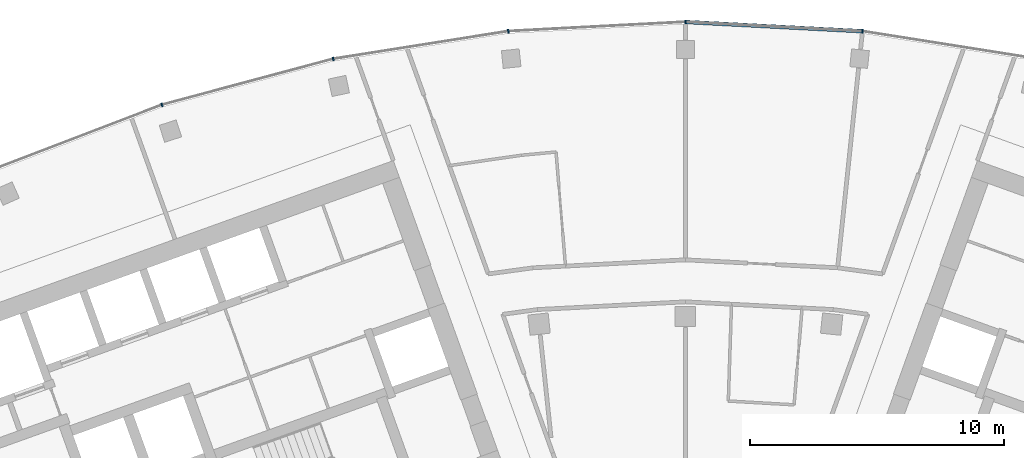
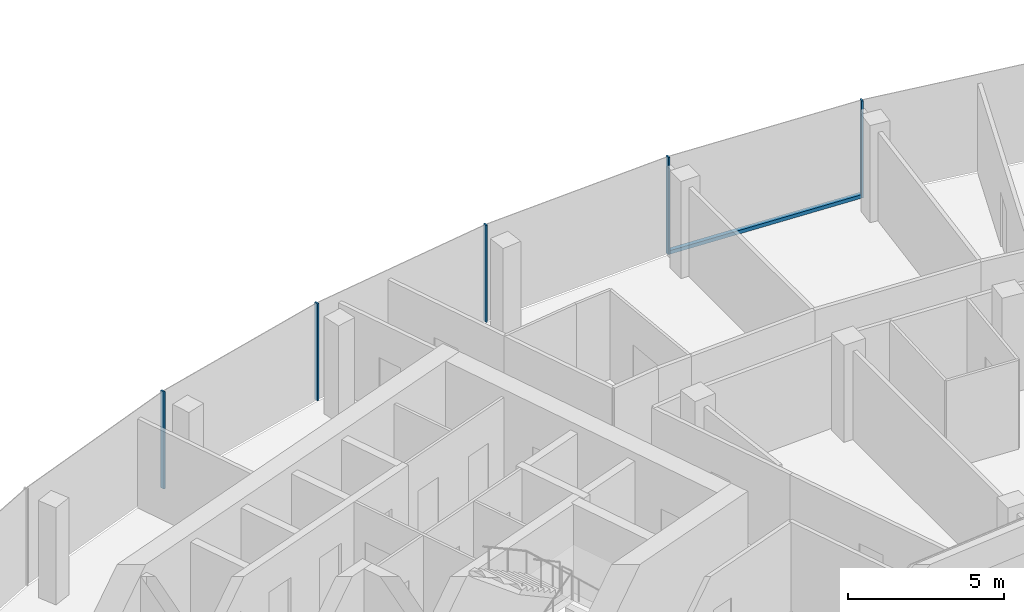
# One storey, part 6 of 18: 6 members, 1 element without a shape of its own.
"""IFC4 building model written with IfcOpenShell, lengths in metres."""

from ifc_helpers import new_model, si_unit, direction, frame, origin, origin_2d, place, context, subcontext, project, spatial, rectangle, extrude, material, layer, layer_set, material_profile, profile_set, type_object, element, aggregate, save


model = new_model("IFC4")

# Units and contexts
model_context = context("Model", 3, precision=1e-05, world=origin(), true_north=direction((0.0, 1.0)))
body_context = subcontext(model_context, "Body", "Model", "MODEL_VIEW")
ifc_project = project(units=[si_unit("LENGTHUNIT", "METRE"), si_unit("AREAUNIT", "SQUARE_METRE"), si_unit("VOLUMEUNIT", "CUBIC_METRE"), si_unit("PLANEANGLEUNIT", "RADIAN"), si_unit("MASSUNIT", "GRAM", prefix="KILO")], contexts=[model_context])

# Site, building, storey
site_placement = place(None, origin())
site = spatial("IfcSite", under=ifc_project, at=site_placement, CompositionType="ELEMENT")
building_placement = place(site_placement, origin())
building = spatial("IfcBuilding", under=site, at=building_placement, Name="Stone Belt Terrace Tower", CompositionType="ELEMENT")
storey_placement = place(building_placement, frame((0.0, 0.0, 296.0)))
storey = spatial("IfcBuildingStorey", under=building, at=storey_placement, Name="L72", CompositionType="ELEMENT", Elevation=296.0)

# Curtain wall, members
ifc_material = material(Name="Aluminium 6063-T6 anodised frame", Category="aluminium")
ifc_layer = layer(ifc_material, 0.14990234375)
ifc_layer_set = layer_set([ifc_layer], Name="CW-A unitised convex-face curtain wall")
curtain_wall_type = type_object("IfcCurtainWallType", Name="CW-A unitised convex-face curtain wall", PredefinedType="NOTDEFINED", material=ifc_layer_set)
curtain_wall_placement = place(storey_placement, origin())
curtain_wall = element("IfcCurtainWall", 1, at=curtain_wall_placement, inside=storey, type_object=curtain_wall_type, Name="CW-A convex face L72", PredefinedType="NOTDEFINED")
ifc_material_profile_1 = material_profile(ifc_material, rectangle(XDim=0.14990234375, YDim=0.06005859375, at=origin_2d()), Name="Aluminium 6063-T6 60x150")
ifc_profile_set_1 = profile_set([ifc_material_profile_1], Name="Aluminium 6063-T6 anodised frame")
member_type_1 = type_object("IfcMemberType", Name="CW-A mullion 60 x 150", PredefinedType="MULLION", material=ifc_profile_set_1)
member_1_placement = place(storey_placement, frame((6.958984375, 66.21044921875, 0.0), z_axis=(0.0, 0.0, 1.0), x_axis=(-0.104528463268, -0.994521895368, 0.0)))
member_1 = element("IfcMember", 2, at=member_1_placement, type_object=member_type_1, Name="CW-A mullion 7", PredefinedType="MULLION", context=body_context, shape_type="SweptSolid", body=[
    extrude(rectangle(XDim=0.14990234375, YDim=0.06005859375, at=origin_2d()), origin(), (0.0, 0.0, 1.0), 3.800048828125),
])
member_2_placement = place(storey_placement, frame((0.0, 66.5751953125, 0.0), z_axis=(0.0, 0.0, 1.0), x_axis=(0.0, -1.0, 0.0)))
member_2 = element("IfcMember", 3, at=member_2_placement, type_object=member_type_1, Name="CW-A mullion 8", PredefinedType="MULLION", context=body_context, shape_type="SweptSolid", body=[
    extrude(rectangle(XDim=0.14990234375, YDim=0.06005859375, at=origin_2d()), origin(), (0.0, 0.0, 1.0), 3.800048828125),
])
member_3_placement = place(storey_placement, frame((-6.958984375, 66.21044921875, 0.0), z_axis=(0.0, 0.0, 1.0), x_axis=(0.104528463268, -0.994521895368, 0.0)))
member_3 = element("IfcMember", 4, at=member_3_placement, type_object=member_type_1, Name="CW-A mullion 9", PredefinedType="MULLION", context=body_context, shape_type="SweptSolid", body=[
    extrude(rectangle(XDim=0.14990234375, YDim=0.06005859375, at=origin_2d()), origin(), (0.0, 0.0, 1.0), 3.800048828125),
])
member_4_placement = place(storey_placement, frame((-13.841796875, 65.120361328125, 0.0), z_axis=(0.0, 0.0, 1.0), x_axis=(0.207911690818, -0.978147600734, 0.0)))
member_4 = element("IfcMember", 5, at=member_4_placement, type_object=member_type_1, Name="CW-A mullion 10", PredefinedType="MULLION", context=body_context, shape_type="SweptSolid", body=[
    extrude(rectangle(XDim=0.14990234375, YDim=0.06005859375, at=origin_2d()), origin(), (0.0, 0.0, 1.0), 3.800048828125),
])
member_5_placement = place(storey_placement, frame((-20.57275390625, 63.316650390625, 0.0), z_axis=(0.0, 0.0, 1.0), x_axis=(0.309016994375, -0.951056516295, 0.0)))
member_5 = element("IfcMember", 6, at=member_5_placement, type_object=member_type_1, Name="CW-A mullion 11", PredefinedType="MULLION", context=body_context, shape_type="SweptSolid", body=[
    extrude(rectangle(XDim=0.14990234375, YDim=0.06005859375, at=origin_2d()), origin(), (0.0, 0.0, 1.0), 3.800048828125),
])
ifc_material_profile_2 = material_profile(ifc_material, rectangle(XDim=0.14990234375, YDim=0.139892578125, at=origin_2d()), Name="Aluminium 6063-T6 150x140")
ifc_profile_set_2 = profile_set([ifc_material_profile_2], Name="Aluminium 6063-T6 anodised frame")
member_type_2 = type_object("IfcMemberType", Name="CW-A transom 140 x 150", PredefinedType="USERDEFINED", material=ifc_profile_set_2)
member_6_placement = place(storey_placement, frame((6.925048828125, 66.212158203125, 0.070068359375), z_axis=(-0.998630019135, 0.052326712899, 0.0), x_axis=(-0.052326712899, -0.998630019135, 0.0)))
member_6 = element("IfcMember", 7, at=member_6_placement, type_object=member_type_2, Name="CW-A transom 7.1", ObjectType="TRANSOM", PredefinedType="USERDEFINED", context=body_context, shape_type="SweptSolid", body=[
    extrude(rectangle(XDim=0.14990234375, YDim=0.139892578125, at=origin_2d()), origin(), (0.0, 0.0, 1.0), 6.900634765625),
])
aggregate(curtain_wall, [member_1, member_2, member_3, member_4, member_5, member_6])

save(model, "model.ifc")
